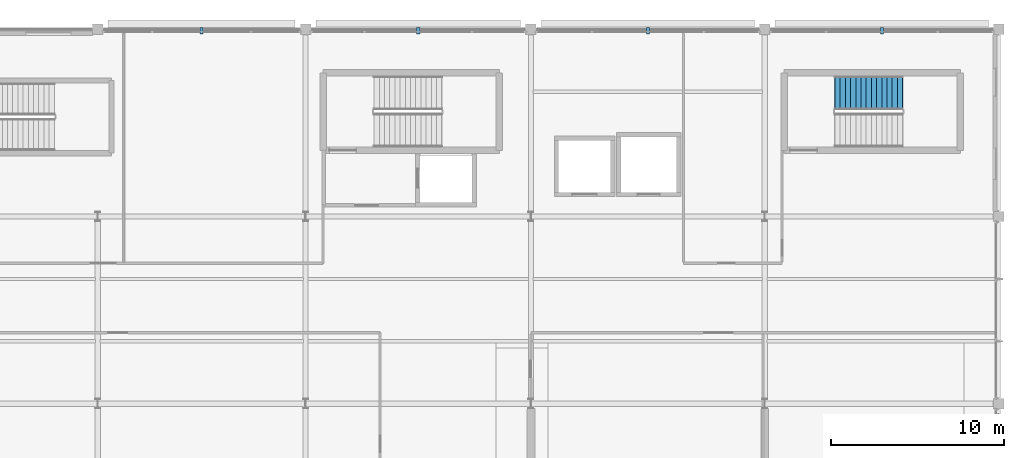
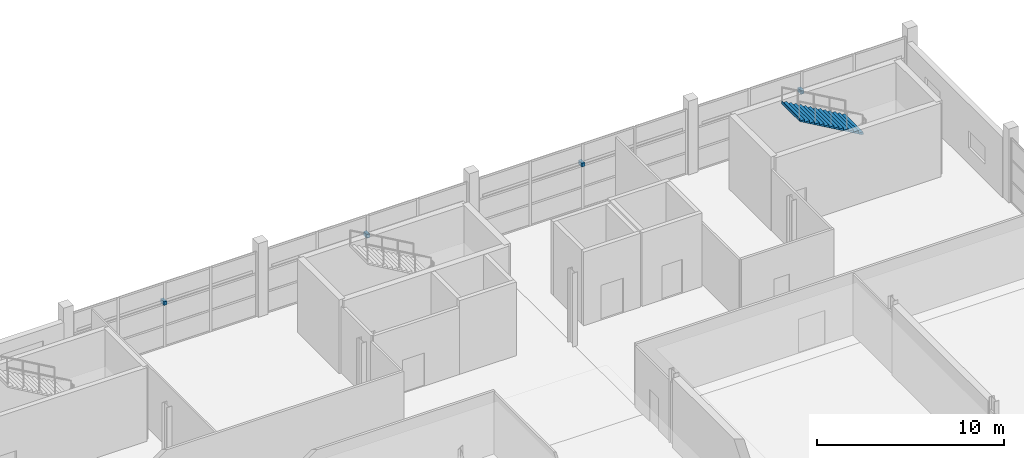
# One storey, part 127 of 134: 4 discrete accessories, 1 stair flight, 1 element without a shape of its own.
"""IFC4 building model written with IfcOpenShell, lengths in metres."""

from ifc_helpers import new_model, si_unit, direction, frame, origin, origin_2d, place, context, subcontext, project, spatial, polyline, rectangle, outline, extrude, material, type_object, element, aggregate, save


model = new_model("IFC4")

# Units and contexts
model_context = context("Model", 3, precision=1e-05, world=origin(), true_north=direction((0.0, 1.0)))
body_context = subcontext(model_context, "Body", "Model", "MODEL_VIEW")
ifc_project = project(units=[si_unit("LENGTHUNIT", "METRE"), si_unit("AREAUNIT", "SQUARE_METRE"), si_unit("VOLUMEUNIT", "CUBIC_METRE"), si_unit("PLANEANGLEUNIT", "RADIAN"), si_unit("MASSUNIT", "GRAM", prefix="KILO")], contexts=[model_context])

# Site, building, storey
site_placement = place(None, origin())
site = spatial("IfcSite", under=ifc_project, at=site_placement, CompositionType="ELEMENT")
building_placement = place(site_placement, origin())
building = spatial("IfcBuilding", under=site, at=building_placement, Name="Tamarisk Ironworks Central Station", CompositionType="ELEMENT")
storey_placement = place(building_placement, frame((0.0, 0.0, 12.60009765625)))
storey = spatial("IfcBuildingStorey", under=building, at=storey_placement, Name="L02", CompositionType="ELEMENT", Elevation=12.60009765625)

# Stair, stair flight
ifc_material_1 = material(Name="Concrete C35/45", Category="concrete")
stair_type = type_object("IfcStairType", Name="ST-CORE-A", PredefinedType="HALF_TURN_STAIR", material=ifc_material_1)
stair_placement = place(storey_placement, origin())
stair = element("IfcStair", 1, at=stair_placement, inside=storey, type_object=stair_type, Name="L02 East Operations Exit Stair Core 2", PredefinedType="HALF_TURN_STAIR")
stair_flight_type = type_object("IfcStairFlightType", Name="SF-CORE-A", PredefinedType="STRAIGHT", material=ifc_material_1)
stair_flight_placement = place(storey_placement, frame((174.449951171875, 118.72509765625, 2.39990234375), z_axis=(0.0, 0.0, 1.0), x_axis=(-1.0, 0.0, 0.0)))
stair_flight = element("IfcStairFlight", 2, at=stair_flight_placement, type_object=stair_flight_type, Name="ST-C2 flight 2", NumberOfRisers=14, NumberOfTreads=13, PredefinedType="STRAIGHT", RiserHeight=0.171428571, TreadLength=0.3, context=body_context, shape_type="SweptSolid", body=[
    extrude(outline(polyline([(-0.01806640625, 0.0), (-0.01806640625, 0.111328125), (0.0, 0.111328125), (0.0, 0.17138671875), (0.300048828125, 0.17138671875), (0.300048828125, 0.3427734375), (0.60009765625, 0.3427734375), (0.60009765625, 0.514404296875), (0.89990234375, 0.514404296875), (0.89990234375, 0.685791015625), (1.199951171875, 0.685791015625), (1.199951171875, 0.857177734375), (1.5, 0.857177734375), (1.5, 1.028564453125), (1.800048828125, 1.028564453125), (1.800048828125, 1.199951171875), (2.10009765625, 1.199951171875), (2.10009765625, 1.371337890625), (2.39990234375, 1.371337890625), (2.39990234375, 1.54296875), (2.699951171875, 1.54296875), (2.699951171875, 1.71435546875), (3.0, 1.71435546875), (3.0, 1.8857421875), (3.300048828125, 1.8857421875), (3.300048828125, 2.05712890625), (3.60009765625, 2.05712890625), (3.60009765625, 2.228515625), (3.89990234375, 2.228515625), (3.89990234375, 2.39990234375), (3.91796875, 2.39990234375), (3.91796875, 2.2099609375), (0.080078125, 0.0), (-0.01806640625, 0.0)])), frame((0.0, 0.97509765625, 0.0), z_axis=(0.0, -1.0, 0.0), x_axis=(1.0, 0.0, 0.0)), (0.0, 0.0, 1.0), 1.949951171875),
])
aggregate(stair, [stair_flight])

# Discrete accessories
ifc_material_2 = material(Name="Brushed stainless steel AISI 316", Category="steel")
discrete_accessory_type = type_object("IfcDiscreteAccessoryType", Name="ACC-BRK01", PredefinedType="BRACKET", material=ifc_material_2)
for number, where, z_axis, x_axis, name in (
    (3, (134.0, 122.320068359375, 2.77978515625), (0.0, 0.0, 1.0), (1.0, 0.0, 0.0), "L02 solar canopy mounting bracket 004"),
    (4, (146.5, 122.320068359375, 2.77978515625), (0.0, 0.0, 1.0), (1.0, 0.0, 0.0), "L02 solar canopy mounting bracket 005"),
    (5, (159.75, 122.320068359375, 2.77978515625), (0.0, 0.0, 1.0), (1.0, 0.0, 0.0), "L02 solar canopy mounting bracket 006"),
    (6, (173.25, 122.320068359375, 2.77978515625), (0.0, 0.0, 1.0), (1.0, 0.0, 0.0), "L02 solar canopy mounting bracket 007"),
):
    element("IfcDiscreteAccessory", number, at=place(storey_placement, frame(where, z_axis=z_axis, x_axis=x_axis)), inside=storey, type_object=discrete_accessory_type, Name=name, PredefinedType="BRACKET", context=body_context, shape_type="SweptSolid", body=[
        extrude(rectangle(XDim=0.179931640625, YDim=0.360107421875, at=origin_2d()), origin(), (0.0, 0.0, 1.0), 0.239990234375),
    ])

save(model, "model.ifc")
